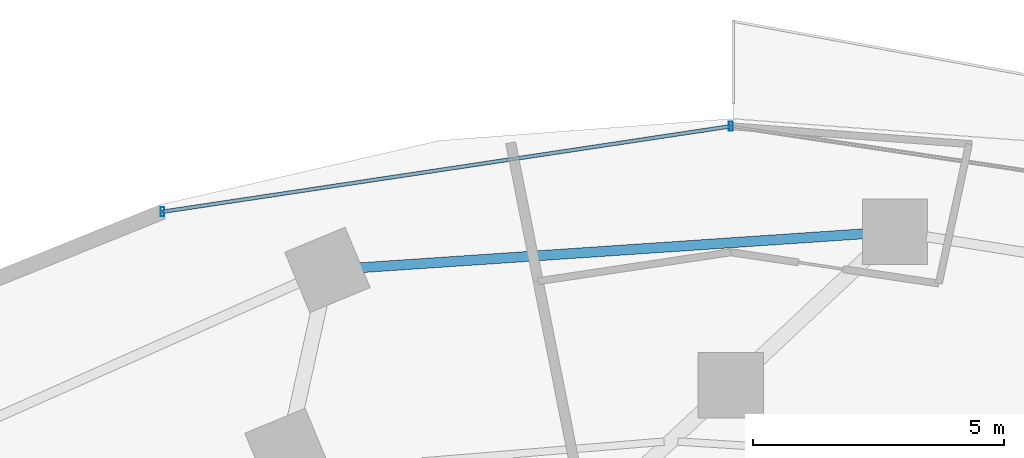
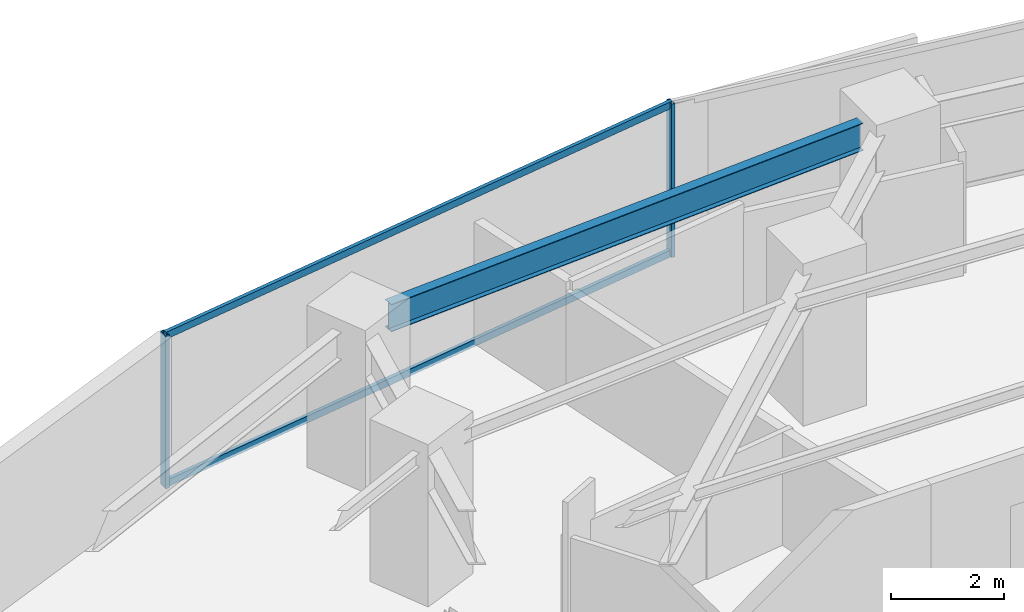
# One storey, part 18 of 30: 4 members, 1 beam, 1 element without a shape of its own.
"""IFC4 building model written with IfcOpenShell, lengths in metres."""

from ifc_helpers import new_model, si_unit, direction, frame, origin, origin_2d, place, context, subcontext, project, spatial, hollow_rectangle, i_section, extrude, material, material_profile, profile_set, type_object, element, aggregate, save


model = new_model("IFC4")

# Units and contexts
model_context = context("Model", 3, precision=1e-05, world=origin(), true_north=direction((0.0, 1.0)))
body_context = subcontext(model_context, "Body", "Model", "MODEL_VIEW")
ifc_project = project(units=[si_unit("LENGTHUNIT", "METRE"), si_unit("AREAUNIT", "SQUARE_METRE"), si_unit("VOLUMEUNIT", "CUBIC_METRE"), si_unit("PLANEANGLEUNIT", "RADIAN"), si_unit("MASSUNIT", "GRAM", prefix="KILO")], contexts=[model_context])

# Site, building, storey
site_placement = place(None, origin())
site = spatial("IfcSite", under=ifc_project, at=site_placement, CompositionType="ELEMENT")
building_placement = place(site_placement, origin())
building = spatial("IfcBuilding", under=site, at=building_placement, Name="Vorneva Point Tower", CompositionType="ELEMENT")
storey_placement = place(building_placement, frame((0.0, 0.0, 41.5)))
storey = spatial("IfcBuildingStorey", under=building, at=storey_placement, Name="L10", CompositionType="ELEMENT", Elevation=41.5)

# Beam
ifc_material_1 = material(Name="Steel S355", Category="steel")
ifc_material_profile_1 = material_profile(ifc_material_1, i_section(OverallWidth=0.198974609375, OverallDepth=0.595947265625, WebThickness=0.010009765625, FlangeThickness=0.014892578125, at=origin_2d()), Name="60B1")
ifc_profile_set_1 = profile_set([ifc_material_profile_1], Name="Steel S355")
beam_type = type_object("IfcBeamType", Name="BM-SPN-60B1", PredefinedType="SPANDREL", material=ifc_profile_set_1)
beam_placement = place(storey_placement, frame((40.631591796875, 46.209716796875, 2.94189453125), z_axis=(-0.997736943545, -0.067238318585, 0.0), x_axis=(0.067238318585, -0.997736943545, 0.0)))
element("IfcBeam", 1, at=beam_placement, inside=storey, type_object=beam_type, Name="L10 Perimeter Spandrel Ring Beam 05", PredefinedType="SPANDREL", context=body_context, shape_type="SweptSolid", body=[
    extrude(i_section(OverallWidth=0.198974609375, OverallDepth=0.595947265625, WebThickness=0.010009765625, FlangeThickness=0.014892578125, at=origin_2d()), origin(), (0.0, 0.0, 1.0), 10.046875),
])

# Curtain wall, members
ifc_material_2 = material(Name="Pale anodised aluminium", Category="aluminium")
curtain_wall_type = type_object("IfcCurtainWallType", Name="CW-HTL-SYS", PredefinedType="NOTDEFINED", material=ifc_material_2)
curtain_wall_placement = place(storey_placement, origin())
curtain_wall = element("IfcCurtainWall", 2, at=curtain_wall_placement, inside=storey, type_object=curtain_wall_type, Name="L10 Unitised Curtain Wall CW-L10-R02", PredefinedType="NOTDEFINED")
ifc_material_profile_2 = material_profile(ifc_material_2, hollow_rectangle(XDim=0.074951171875, YDim=0.179931640625, WallThickness=0.00390625, at=origin_2d()), Name="AL-MUL 180x75x4")
ifc_profile_set_2 = profile_set([ifc_material_profile_2], Name="Pale anodised aluminium")
member_type_1 = type_object("IfcMemberType", Name="CW-MUL-180", PredefinedType="MULLION", material=ifc_profile_set_2)
member_1_placement = place(storey_placement, frame((38.0, 48.35009765625, -0.0400390625), z_axis=(0.0, 0.0, 1.0), x_axis=(1.0, 0.0, 0.0)))
member_1 = element("IfcMember", 3, at=member_1_placement, type_object=member_type_1, Name="CW-L10-R02 Mullion 03", PredefinedType="MULLION", context=body_context, shape_type="SweptSolid", body=[
    extrude(hollow_rectangle(XDim=0.074951171875, YDim=0.179931640625, WallThickness=0.00390625, at=origin_2d()), origin(), (0.0, 0.0, 1.0), 3.31005859375),
])
member_2_placement = place(storey_placement, frame((26.691650390625, 46.648681640625, -0.0400390625), z_axis=(0.0, 0.0, 1.0), x_axis=(1.0, 0.0, 0.0)))
member_2 = element("IfcMember", 4, at=member_2_placement, type_object=member_type_1, Name="CW-L10-R02 Mullion 04", PredefinedType="MULLION", context=body_context, shape_type="SweptSolid", body=[
    extrude(hollow_rectangle(XDim=0.074951171875, YDim=0.179931640625, WallThickness=0.00390625, at=origin_2d()), origin(), (0.0, 0.0, 1.0), 3.31005859375),
])
ifc_material_profile_3 = material_profile(ifc_material_2, hollow_rectangle(XDim=0.074951171875, YDim=0.14990234375, WallThickness=0.00390625, at=origin_2d()), Name="AL-TRN 150x75x4")
ifc_profile_set_3 = profile_set([ifc_material_profile_3], Name="Pale anodised aluminium")
member_type_2 = type_object("IfcMemberType", Name="CW-TRN-150", PredefinedType="USERDEFINED", material=ifc_profile_set_3)
member_3_placement = place(storey_placement, frame((38.0, 48.35009765625, 0.02001953125), z_axis=(-0.988870014575, -0.148782036131, 0.0), x_axis=(0.148782036131, -0.988870014575, 0.0)))
member_3 = element("IfcMember", 5, at=member_3_placement, type_object=member_type_2, Name="CW-L10-R02 Transom 03.1", ObjectType="TRANSOM", PredefinedType="USERDEFINED", context=body_context, shape_type="SweptSolid", body=[
    extrude(hollow_rectangle(XDim=0.074951171875, YDim=0.14990234375, WallThickness=0.00390625, at=origin_2d()), origin(), (0.0, 0.0, 1.0), 11.435546875),
])
member_4_placement = place(storey_placement, frame((38.0, 48.35009765625, 3.219970703125), z_axis=(-0.988870014575, -0.148782036131, 0.0), x_axis=(0.148782036131, -0.988870014575, 0.0)))
member_4 = element("IfcMember", 6, at=member_4_placement, type_object=member_type_2, Name="CW-L10-R02 Transom 03.2", ObjectType="TRANSOM", PredefinedType="USERDEFINED", context=body_context, shape_type="SweptSolid", body=[
    extrude(hollow_rectangle(XDim=0.074951171875, YDim=0.14990234375, WallThickness=0.00390625, at=origin_2d()), origin(), (0.0, 0.0, 1.0), 11.435546875),
])
aggregate(curtain_wall, [member_1, member_2, member_3, member_4])

save(model, "model.ifc")
